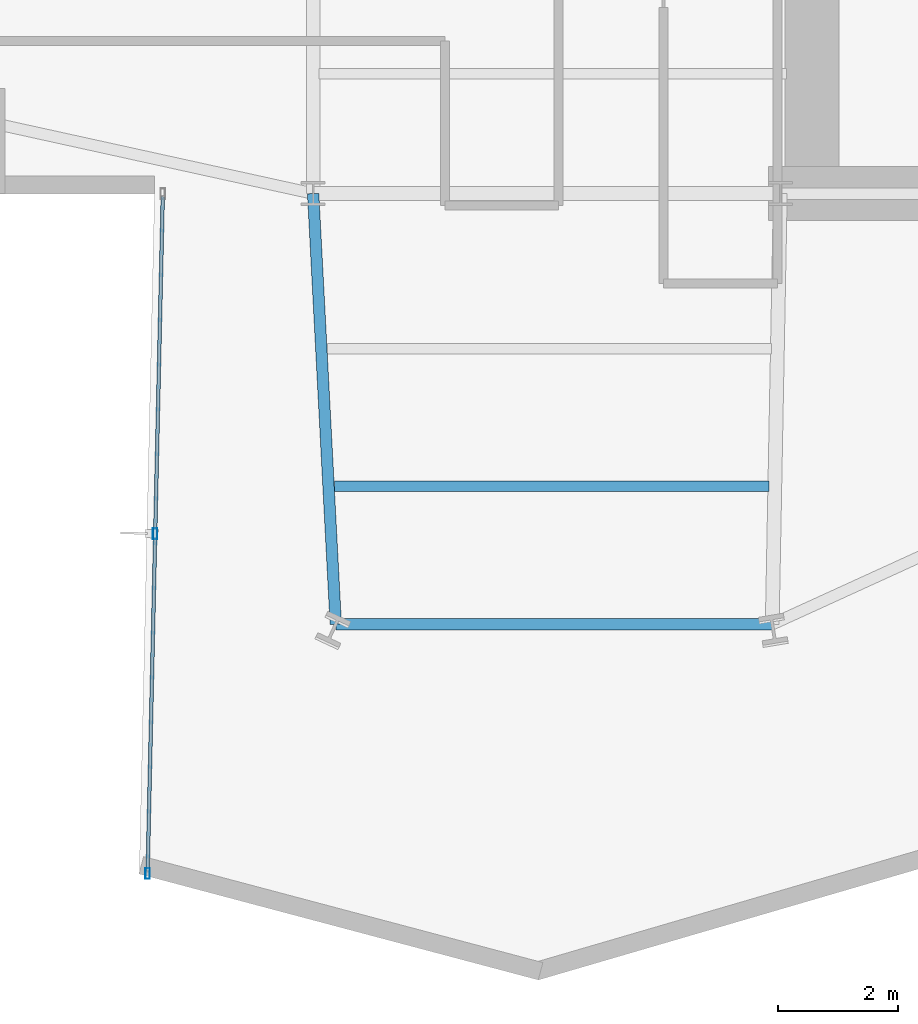
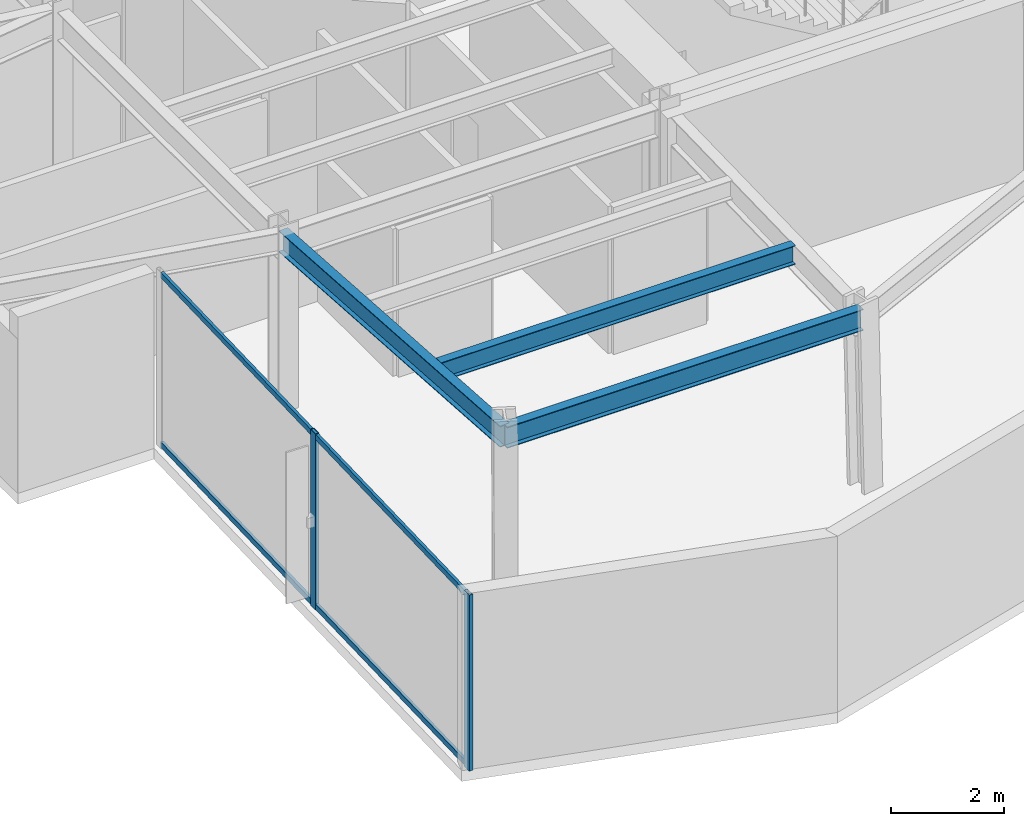
# One storey, part 4 of 26: 4 members, 3 beams, 1 element without a shape of its own.
"""IFC4 building model written with IfcOpenShell, lengths in metres."""

from ifc_helpers import new_model, si_unit, direction, frame, origin, origin_2d, place, context, subcontext, project, spatial, hollow_rectangle, i_section, extrude, material, layer, layer_set, material_profile, profile_set, type_object, element, aggregate, save


model = new_model("IFC4")

# Units and contexts
model_context = context("Model", 3, precision=1e-05, world=origin(), true_north=direction((0.0, 1.0)))
body_context = subcontext(model_context, "Body", "Model", "MODEL_VIEW")
ifc_project = project(units=[si_unit("LENGTHUNIT", "METRE"), si_unit("AREAUNIT", "SQUARE_METRE"), si_unit("VOLUMEUNIT", "CUBIC_METRE"), si_unit("PLANEANGLEUNIT", "RADIAN"), si_unit("MASSUNIT", "GRAM", prefix="KILO")], contexts=[model_context])

# Site, building, storey
site_placement = place(None, origin())
site = spatial("IfcSite", under=ifc_project, at=site_placement, CompositionType="ELEMENT")
building_placement = place(site_placement, origin())
building = spatial("IfcBuilding", under=site, at=building_placement, Name="Veymaron Broadcast Tower", CompositionType="ELEMENT")
storey_placement = place(building_placement, frame((0.0, 0.0, 90.449951171875)))
storey = spatial("IfcBuildingStorey", under=building, at=storey_placement, Name="L20", CompositionType="ELEMENT", Elevation=90.449951171875)

# Beams
ifc_material_1 = material(Name="Structural steel ASTM A992 Gr 50", Category="steel")
ifc_material_profile_1 = material_profile(ifc_material_1, i_section(OverallWidth=0.177978515625, OverallDepth=0.406982421875, WebThickness=0.0078125, FlangeThickness=0.0126953125, at=origin_2d()), Name="W410X60")
ifc_profile_set_1 = profile_set([ifc_material_profile_1], Name="Structural steel ASTM A992 Gr 50")
beam_type_1 = type_object("IfcBeamType", Name="BM-JS1", PredefinedType="JOIST", material=ifc_profile_set_1)
beam_1_placement = place(storey_placement, frame((31.556884765625, 11.11083984375, 3.6064453125), z_axis=(1.0, 0.0, 0.0), x_axis=(0.0, 1.0, 0.0)))
element("IfcBeam", 1, at=beam_1_placement, inside=storey, type_object=beam_type_1, Name="L20 Arm-C secondary joist 2", PredefinedType="JOIST", context=body_context, shape_type="SweptSolid", body=[
    extrude(i_section(OverallWidth=0.177978515625, OverallDepth=0.406982421875, WebThickness=0.0078125, FlangeThickness=0.0126953125, at=origin_2d()), origin(), (0.0, 0.0, 1.0), 7.251220703125),
])
ifc_material_profile_2 = material_profile(ifc_material_1, i_section(OverallWidth=0.19091796875, OverallDepth=0.4599609375, WebThickness=0.010009765625, FlangeThickness=0.01611328125, at=origin_2d()), Name="W460X82")
ifc_profile_set_2 = profile_set([ifc_material_profile_2], Name="Structural steel ASTM A992 Gr 50")
beam_type_2 = type_object("IfcBeamType", Name="BM-SP1", PredefinedType="SPANDREL", material=ifc_profile_set_2)
beam_2_placement = place(storey_placement, frame((31.199951171875, 16.0, 3.580078125), z_axis=(0.052491202254, -0.998621386555, 0.0), x_axis=(0.998621386555, 0.052491202254, 0.0)))
element("IfcBeam", 2, at=beam_2_placement, inside=storey, type_object=beam_type_2, Name="L20 primary structural floor girder", PredefinedType="SPANDREL", context=body_context, shape_type="SweptSolid", body=[
    extrude(i_section(OverallWidth=0.19091796875, OverallDepth=0.4599609375, WebThickness=0.010009765625, FlangeThickness=0.01611328125, at=origin_2d()), origin(), (0.0, 0.0, 1.0), 7.199951171875),
])
beam_3_placement = place(storey_placement, frame((31.577880859375, 8.81005859375, 3.580078125), z_axis=(1.0, 0.0, 0.0), x_axis=(0.0, 1.0, 0.0)))
element("IfcBeam", 3, at=beam_3_placement, inside=storey, type_object=beam_type_2, Name="L20 primary structural floor girder", PredefinedType="SPANDREL", context=body_context, shape_type="SweptSolid", body=[
    extrude(i_section(OverallWidth=0.19091796875, OverallDepth=0.4599609375, WebThickness=0.010009765625, FlangeThickness=0.01611328125, at=origin_2d()), origin(), (0.0, 0.0, 1.0), 7.287109375),
])

# Curtain wall, members
ifc_material_2 = material(Name="Anodised aluminium AA 6063-T6 and laminated low-E dark glass", Category="aluminium")
ifc_layer = layer(ifc_material_2, 0.179931640625)
ifc_layer_set = layer_set([ifc_layer], Name="Anodised aluminium AA 6063-T6 and laminated low-E dark glass")
curtain_wall_type = type_object("IfcCurtainWallType", Name="CW-SYS-02", PredefinedType="NOTDEFINED", material=ifc_layer_set)
curtain_wall_placement = place(storey_placement, origin())
curtain_wall = element("IfcCurtainWall", 4, at=curtain_wall_placement, inside=storey, type_object=curtain_wall_type, Name="L20 dark-glass curtain wall CW-L20-E17-1", PredefinedType="NOTDEFINED")
ifc_material_3 = material(Name="Anodised aluminium AA 6063-T6", Category="aluminium")
ifc_material_profile_3 = material_profile(ifc_material_3, hollow_rectangle(XDim=0.074951171875, YDim=0.179931640625, WallThickness=0.0048828125, at=origin_2d()), Name="AL180X75X5")
ifc_profile_set_3 = profile_set([ifc_material_profile_3], Name="Anodised aluminium AA 6063-T6")
member_type_1 = type_object("IfcMemberType", Name="CW-MUL-02", PredefinedType="MULLION", material=ifc_profile_set_3)
member_1_placement = place(storey_placement, frame((28.563232421875, 10.3212890625, 0.0), z_axis=(0.0, 0.0, 1.0), x_axis=(1.0, 0.0, 0.0)))
member_1 = element("IfcMember", 5, at=member_1_placement, type_object=member_type_1, Name="CW-L20-E17-1 mullion 1", PredefinedType="MULLION", context=body_context, shape_type="SweptSolid", body=[
    extrude(hollow_rectangle(XDim=0.074951171875, YDim=0.179931640625, WallThickness=0.0048828125, at=origin_2d()), origin(), (0.0, 0.0, 1.0), 3.81005859375),
])
member_2_placement = place(storey_placement, frame((28.436279296875, 4.64599609375, 0.0), z_axis=(0.0, 0.0, 1.0), x_axis=(1.0, 0.0, 0.0)))
member_2 = element("IfcMember", 6, at=member_2_placement, type_object=member_type_1, Name="CW-L20-E17-1 mullion 2", PredefinedType="MULLION", context=body_context, shape_type="SweptSolid", body=[
    extrude(hollow_rectangle(XDim=0.074951171875, YDim=0.179931640625, WallThickness=0.0048828125, at=origin_2d()), origin(), (0.0, 0.0, 1.0), 3.81005859375),
])
ifc_material_profile_4 = material_profile(ifc_material_3, hollow_rectangle(XDim=0.06005859375, YDim=0.1201171875, WallThickness=0.00390625, at=origin_2d()), Name="AL120X60X4")
ifc_profile_set_4 = profile_set([ifc_material_profile_4], Name="Anodised aluminium AA 6063-T6")
member_type_2 = type_object("IfcMemberType", Name="CW-TRN-02", PredefinedType="USERDEFINED", material=ifc_profile_set_4)
member_3_placement = place(storey_placement, frame((28.68896484375, 15.947021484375, 0.070068359375), z_axis=(-0.022366108117, -0.999749847316, 0.0), x_axis=(0.999749847316, -0.022366108117, 0.0)))
member_3 = element("IfcMember", 7, at=member_3_placement, type_object=member_type_2, Name="CW-L20-E17-1 transom B", ObjectType="TRANSOM", PredefinedType="USERDEFINED", context=body_context, shape_type="SweptSolid", body=[
    extrude(hollow_rectangle(XDim=0.06005859375, YDim=0.1201171875, WallThickness=0.00390625, at=origin_2d()), origin(), (0.0, 0.0, 1.0), 11.254150390625),
])
member_4_placement = place(storey_placement, frame((28.68896484375, 15.947021484375, 3.739990234375), z_axis=(-0.022366108117, -0.999749847316, 0.0), x_axis=(0.999749847316, -0.022366108117, 0.0)))
member_4 = element("IfcMember", 8, at=member_4_placement, type_object=member_type_2, Name="CW-L20-E17-1 transom T", ObjectType="TRANSOM", PredefinedType="USERDEFINED", context=body_context, shape_type="SweptSolid", body=[
    extrude(hollow_rectangle(XDim=0.06005859375, YDim=0.1201171875, WallThickness=0.00390625, at=origin_2d()), origin(), (0.0, 0.0, 1.0), 11.254150390625),
])
aggregate(curtain_wall, [member_1, member_2, member_3, member_4])

save(model, "model.ifc")
